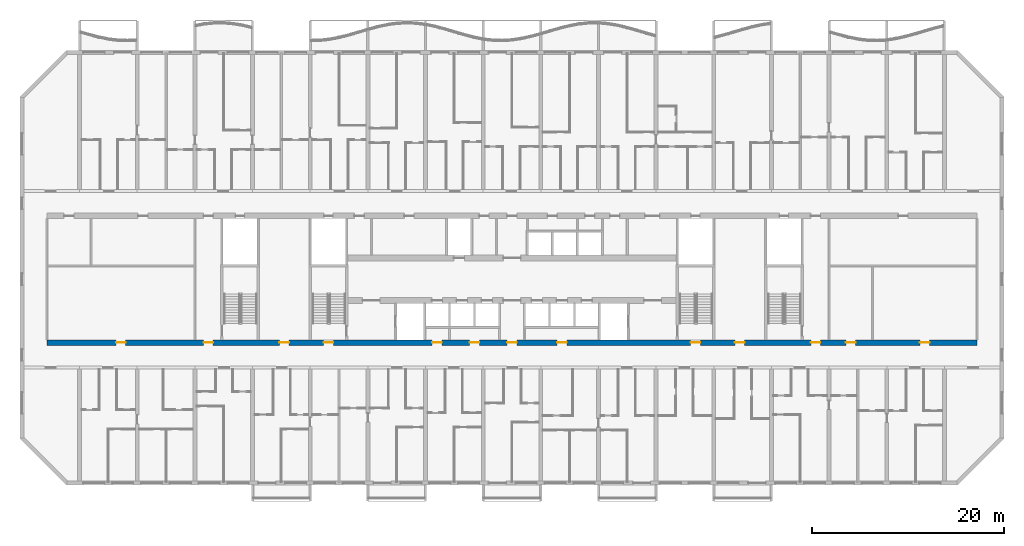
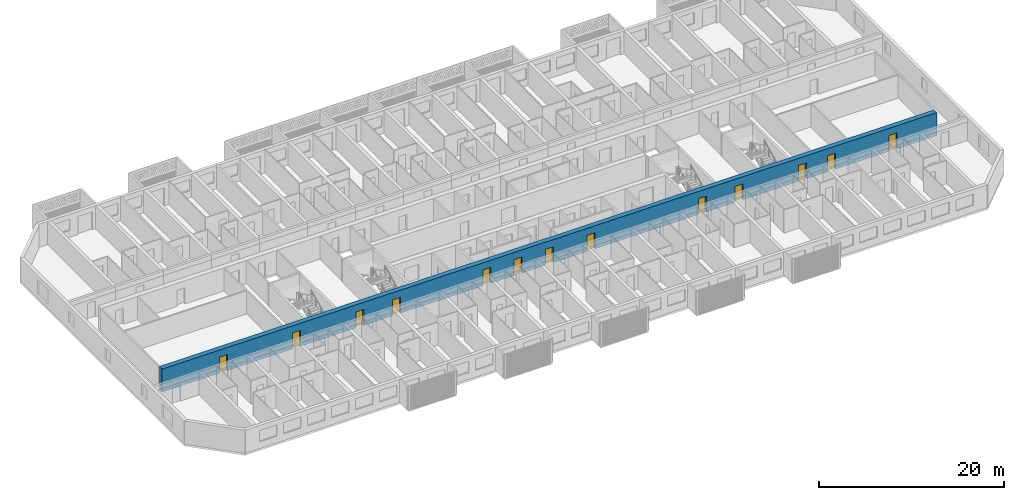
# One storey, part 9 of 44: 13 doors, 1 wall, 13 openings.
"""IFC4 building model written with IfcOpenShell, lengths in metres."""

from ifc_helpers import new_model, si_unit, direction, frame, frame_2d, origin, place, context, subcontext, project, spatial, rectangle, extrude, material, layer, layer_set, type_object, element, fill, save


model = new_model("IFC4")

# Units and contexts
model_context = context("Model", 3, precision=1e-05, world=origin(), true_north=direction((0.0, 1.0)))
body_context = subcontext(model_context, "Body", "Model", "MODEL_VIEW")
ifc_project = project(units=[si_unit("LENGTHUNIT", "METRE"), si_unit("AREAUNIT", "SQUARE_METRE"), si_unit("VOLUMEUNIT", "CUBIC_METRE"), si_unit("PLANEANGLEUNIT", "RADIAN"), si_unit("MASSUNIT", "GRAM", prefix="KILO")], contexts=[model_context])

# Site, building, storey
site_placement = place(None, origin())
site = spatial("IfcSite", under=ifc_project, at=site_placement, CompositionType="ELEMENT")
building_placement = place(site_placement, origin())
building = spatial("IfcBuilding", under=site, at=building_placement, Name="Poui Terraces", CompositionType="ELEMENT")
storey_placement = place(building_placement, frame((0.0, 0.0, 26.699951171875)))
storey = spatial("IfcBuildingStorey", under=building, at=storey_placement, Name="L06", CompositionType="ELEMENT", Elevation=26.699951171875)

# Wall, openings, doors
ifc_material_1 = material(Name="Concrete 80 MPa", Category="concrete")
ifc_layer = layer(ifc_material_1, 0.60009765625)
ifc_layer_set = layer_set([ifc_layer], Name="Concrete 80 MPa")
wall_type = type_object("IfcWallType", Name="SPINE WALL 600 80 MPA", PredefinedType="SOLIDWALL", material=ifc_layer_set)
wall_placement = place(storey_placement, frame((2.60009765625, 14.60009765625, 0.0), z_axis=(0.0, 0.0, 1.0), x_axis=(1.0, 0.0, 0.0)))
wall = element("IfcWall", 1, at=wall_placement, inside=storey, type_object=wall_type, Name="SPINE WALL", PredefinedType="SOLIDWALL", context=body_context, shape_type="SweptSolid", body=[
    extrude(rectangle(XDim=96.7998046875, YDim=0.60009765625, at=frame_2d((48.39990234375, 0.0))), origin(), (0.0, 0.0, 1.0), 3.050048828125),
])
opening_1_placement = place(wall_placement, frame((7.199951171875, 0.0, 0.0)))
opening_1 = element("IfcOpeningElement", 2, at=opening_1_placement, cuts=wall, Name="Opening FD60", PredefinedType="OPENING", context=body_context, shape_type="SweptSolid", body=[
    extrude(rectangle(XDim=1.0, YDim=2.10009765625, at=frame_2d((0.5, 1.050048828125))), frame((0.0, 0.31005859375, 0.0), z_axis=(0.0, -1.0, 0.0), x_axis=(1.0, 0.0, 0.0)), (0.0, 0.0, 1.0), 0.6201171875),
])
opening_2_placement = place(wall_placement, frame((16.300048828125, 0.0, 0.0)))
opening_2 = element("IfcOpeningElement", 3, at=opening_2_placement, cuts=wall, Name="Opening FDL", PredefinedType="OPENING", context=body_context, shape_type="SweptSolid", body=[
    extrude(rectangle(XDim=1.0, YDim=2.10009765625, at=frame_2d((0.5, 1.050048828125))), frame((0.0, 0.31005859375, 0.0), z_axis=(0.0, -1.0, 0.0), x_axis=(1.0, 0.0, 0.0)), (0.0, 0.0, 1.0), 0.6201171875),
])
opening_3_placement = place(wall_placement, frame((24.199951171875, 0.0, 0.0)))
opening_3 = element("IfcOpeningElement", 4, at=opening_3_placement, cuts=wall, Name="Opening D100", PredefinedType="OPENING", context=body_context, shape_type="SweptSolid", body=[
    extrude(rectangle(XDim=1.0, YDim=2.10009765625, at=frame_2d((0.5, 1.050048828125))), frame((0.0, 0.31005859375, 0.0), z_axis=(0.0, -1.0, 0.0), x_axis=(1.0, 0.0, 0.0)), (0.0, 0.0, 1.0), 0.6201171875),
])
opening_4_placement = place(wall_placement, frame((28.800048828125, 0.0, 0.0)))
opening_4 = element("IfcOpeningElement", 5, at=opening_4_placement, cuts=wall, Name="Opening FD60S", PredefinedType="OPENING", context=body_context, shape_type="SweptSolid", body=[
    extrude(rectangle(XDim=1.0, YDim=2.10009765625, at=frame_2d((0.5, 1.050048828125))), frame((0.0, 0.31005859375, 0.0), z_axis=(0.0, -1.0, 0.0), x_axis=(1.0, 0.0, 0.0)), (0.0, 0.0, 1.0), 0.6201171875),
])
opening_5_placement = place(wall_placement, frame((40.10009765625, 0.0, 0.0)))
opening_5 = element("IfcOpeningElement", 6, at=opening_5_placement, cuts=wall, Name="Opening FD60", PredefinedType="OPENING", context=body_context, shape_type="SweptSolid", body=[
    extrude(rectangle(XDim=1.0, YDim=2.10009765625, at=frame_2d((0.5, 1.050048828125))), frame((0.0, 0.31005859375, 0.0), z_axis=(0.0, -1.0, 0.0), x_axis=(1.0, 0.0, 0.0)), (0.0, 0.0, 1.0), 0.6201171875),
])
opening_6_placement = place(wall_placement, frame((44.0, 0.0, 0.0)))
opening_6 = element("IfcOpeningElement", 7, at=opening_6_placement, cuts=wall, Name="Opening FD60", PredefinedType="OPENING", context=body_context, shape_type="SweptSolid", body=[
    extrude(rectangle(XDim=1.0, YDim=2.10009765625, at=frame_2d((0.5, 1.050048828125))), frame((0.0, 0.31005859375, 0.0), z_axis=(0.0, -1.0, 0.0), x_axis=(1.0, 0.0, 0.0)), (0.0, 0.0, 1.0), 0.6201171875),
])
opening_7_placement = place(wall_placement, frame((47.89990234375, 0.0, 0.0)))
opening_7 = element("IfcOpeningElement", 8, at=opening_7_placement, cuts=wall, Name="Opening FDL", PredefinedType="OPENING", context=body_context, shape_type="SweptSolid", body=[
    extrude(rectangle(XDim=1.0, YDim=2.10009765625, at=frame_2d((0.5, 1.050048828125))), frame((0.0, 0.31005859375, 0.0), z_axis=(0.0, -1.0, 0.0), x_axis=(1.0, 0.0, 0.0)), (0.0, 0.0, 1.0), 0.6201171875),
])
opening_8_placement = place(wall_placement, frame((53.10009765625, 0.0, 0.0)))
opening_8 = element("IfcOpeningElement", 9, at=opening_8_placement, cuts=wall, Name="Opening FD60", PredefinedType="OPENING", context=body_context, shape_type="SweptSolid", body=[
    extrude(rectangle(XDim=1.0, YDim=2.10009765625, at=frame_2d((0.5, 1.050048828125))), frame((0.0, 0.31005859375, 0.0), z_axis=(0.0, -1.0, 0.0), x_axis=(1.0, 0.0, 0.0)), (0.0, 0.0, 1.0), 0.6201171875),
])
opening_9_placement = place(wall_placement, frame((67.0, 0.0, 0.0)))
opening_9 = element("IfcOpeningElement", 10, at=opening_9_placement, cuts=wall, Name="Opening FD60S", PredefinedType="OPENING", context=body_context, shape_type="SweptSolid", body=[
    extrude(rectangle(XDim=1.0, YDim=2.10009765625, at=frame_2d((0.5, 1.050048828125))), frame((0.0, 0.31005859375, 0.0), z_axis=(0.0, -1.0, 0.0), x_axis=(1.0, 0.0, 0.0)), (0.0, 0.0, 1.0), 0.6201171875),
])
opening_10_placement = place(wall_placement, frame((71.60009765625, 0.0, 0.0)))
opening_10 = element("IfcOpeningElement", 11, at=opening_10_placement, cuts=wall, Name="Opening D100", PredefinedType="OPENING", context=body_context, shape_type="SweptSolid", body=[
    extrude(rectangle(XDim=1.0, YDim=2.10009765625, at=frame_2d((0.5, 1.050048828125))), frame((0.0, 0.31005859375, 0.0), z_axis=(0.0, -1.0, 0.0), x_axis=(1.0, 0.0, 0.0)), (0.0, 0.0, 1.0), 0.6201171875),
])
opening_11_placement = place(wall_placement, frame((79.5, 0.0, 0.0)))
opening_11 = element("IfcOpeningElement", 12, at=opening_11_placement, cuts=wall, Name="Opening FDL", PredefinedType="OPENING", context=body_context, shape_type="SweptSolid", body=[
    extrude(rectangle(XDim=1.0, YDim=2.10009765625, at=frame_2d((0.5, 1.050048828125))), frame((0.0, 0.31005859375, 0.0), z_axis=(0.0, -1.0, 0.0), x_axis=(1.0, 0.0, 0.0)), (0.0, 0.0, 1.0), 0.6201171875),
])
opening_12_placement = place(wall_placement, frame((83.14990234375, 0.0, 0.0)))
opening_12 = element("IfcOpeningElement", 13, at=opening_12_placement, cuts=wall, Name="Opening FD60", PredefinedType="OPENING", context=body_context, shape_type="SweptSolid", body=[
    extrude(rectangle(XDim=1.0, YDim=2.10009765625, at=frame_2d((0.5, 1.050048828125))), frame((0.0, 0.31005859375, 0.0), z_axis=(0.0, -1.0, 0.0), x_axis=(1.0, 0.0, 0.0)), (0.0, 0.0, 1.0), 0.6201171875),
])
opening_13_placement = place(wall_placement, frame((90.85009765625, 0.0, 0.0)))
opening_13 = element("IfcOpeningElement", 14, at=opening_13_placement, cuts=wall, Name="Opening FD60", PredefinedType="OPENING", context=body_context, shape_type="SweptSolid", body=[
    extrude(rectangle(XDim=1.0, YDim=2.10009765625, at=frame_2d((0.5, 1.050048828125))), frame((0.0, 0.31005859375, 0.0), z_axis=(0.0, -1.0, 0.0), x_axis=(1.0, 0.0, 0.0)), (0.0, 0.0, 1.0), 0.6201171875),
])
ifc_material_2 = material(Name="Solid core timber door", Category="wood")
door_type_1 = type_object("IfcDoorType", Name="ACCESSIBLE INTERNAL DOOR 1000 X 2100", OperationType="NOTDEFINED", PredefinedType="DOOR", material=ifc_material_2)
door_1_placement = place(opening_3_placement, frame((1.0, 0.0, 0.0), z_axis=(0.0, 0.0, 1.0), x_axis=(-1.0, 0.0, 0.0)))
door_1 = element("IfcDoor", 15, at=door_1_placement, inside=storey, type_object=door_type_1, Name="ACCESSIBLE INTERNAL DOOR 020", OperationType="SINGLE_SWING_LEFT", OverallHeight=2.10009765625, OverallWidth=1.0, PredefinedType="DOOR", context=body_context, shape_type="SweptSolid", body=[
    extrude(rectangle(XDim=1.0, YDim=2.10009765625, at=frame_2d((0.5, 1.050048828125))), frame((0.0, 0.02490234375, 0.0), z_axis=(0.0, -1.0, 0.0), x_axis=(1.0, 0.0, 0.0)), (0.0, 0.0, 1.0), 0.050048828125),
])
fill(opening_3, door_1)
door_2_placement = place(opening_10_placement, frame((1.0, 0.0, 0.0), z_axis=(0.0, 0.0, 1.0), x_axis=(-1.0, 0.0, 0.0)))
door_2 = element("IfcDoor", 16, at=door_2_placement, inside=storey, type_object=door_type_1, Name="ACCESSIBLE INTERNAL DOOR 027", OperationType="SINGLE_SWING_RIGHT", OverallHeight=2.10009765625, OverallWidth=1.0, PredefinedType="DOOR", context=body_context, shape_type="SweptSolid", body=[
    extrude(rectangle(XDim=1.0, YDim=2.10009765625, at=frame_2d((0.5, 1.050048828125))), frame((0.0, 0.02490234375, 0.0), z_axis=(0.0, -1.0, 0.0), x_axis=(1.0, 0.0, 0.0)), (0.0, 0.0, 1.0), 0.050048828125),
])
fill(opening_10, door_2)
ifc_material_3 = material(Name="Steel fire door", Category="steel")
door_type_2 = type_object("IfcDoorType", Name="LOBBY FIRE DOOR 1000 X 2100", OperationType="NOTDEFINED", PredefinedType="DOOR", material=ifc_material_3)
door_3_placement = place(opening_2_placement, frame((1.0, 0.0, 0.0), z_axis=(0.0, 0.0, 1.0), x_axis=(-1.0, 0.0, 0.0)))
door_3 = element("IfcDoor", 17, at=door_3_placement, inside=storey, type_object=door_type_2, Name="LOBBY FIRE DOOR 019", OperationType="SINGLE_SWING_RIGHT", OverallHeight=2.10009765625, OverallWidth=1.0, PredefinedType="DOOR", context=body_context, shape_type="SweptSolid", body=[
    extrude(rectangle(XDim=1.0, YDim=2.10009765625, at=frame_2d((0.5, 1.050048828125))), frame((0.0, 0.02490234375, 0.0), z_axis=(0.0, -1.0, 0.0), x_axis=(1.0, 0.0, 0.0)), (0.0, 0.0, 1.0), 0.050048828125),
])
fill(opening_2, door_3)
door_4_placement = place(opening_7_placement, frame((1.0, 0.0, 0.0), z_axis=(0.0, 0.0, 1.0), x_axis=(-1.0, 0.0, 0.0)))
door_4 = element("IfcDoor", 18, at=door_4_placement, inside=storey, type_object=door_type_2, Name="LOBBY FIRE DOOR 024", OperationType="SINGLE_SWING_LEFT", OverallHeight=2.10009765625, OverallWidth=1.0, PredefinedType="DOOR", context=body_context, shape_type="SweptSolid", body=[
    extrude(rectangle(XDim=1.0, YDim=2.10009765625, at=frame_2d((0.5, 1.050048828125))), frame((0.0, 0.02490234375, 0.0), z_axis=(0.0, -1.0, 0.0), x_axis=(1.0, 0.0, 0.0)), (0.0, 0.0, 1.0), 0.050048828125),
])
fill(opening_7, door_4)
door_5_placement = place(opening_11_placement, frame((1.0, 0.0, 0.0), z_axis=(0.0, 0.0, 1.0), x_axis=(-1.0, 0.0, 0.0)))
door_5 = element("IfcDoor", 19, at=door_5_placement, inside=storey, type_object=door_type_2, Name="LOBBY FIRE DOOR 028", OperationType="SINGLE_SWING_LEFT", OverallHeight=2.10009765625, OverallWidth=1.0, PredefinedType="DOOR", context=body_context, shape_type="SweptSolid", body=[
    extrude(rectangle(XDim=1.0, YDim=2.10009765625, at=frame_2d((0.5, 1.050048828125))), frame((0.0, 0.02490234375, 0.0), z_axis=(0.0, -1.0, 0.0), x_axis=(1.0, 0.0, 0.0)), (0.0, 0.0, 1.0), 0.050048828125),
])
fill(opening_11, door_5)
door_type_3 = type_object("IfcDoorType", Name="SERVICE ROOM FIRE DOOR 1000 X 2100", OperationType="NOTDEFINED", PredefinedType="DOOR", material=ifc_material_3)
door_6_placement = place(opening_1_placement, frame((1.0, 0.0, 0.0), z_axis=(0.0, 0.0, 1.0), x_axis=(-1.0, 0.0, 0.0)))
door_6 = element("IfcDoor", 20, at=door_6_placement, inside=storey, type_object=door_type_3, Name="SERVICE ROOM FIRE DOOR 018", OperationType="SINGLE_SWING_LEFT", OverallHeight=2.10009765625, OverallWidth=1.0, PredefinedType="DOOR", context=body_context, shape_type="SweptSolid", body=[
    extrude(rectangle(XDim=1.0, YDim=2.10009765625, at=frame_2d((0.5, 1.050048828125))), frame((0.0, 0.02490234375, 0.0), z_axis=(0.0, -1.0, 0.0), x_axis=(1.0, 0.0, 0.0)), (0.0, 0.0, 1.0), 0.050048828125),
])
fill(opening_1, door_6)
door_7_placement = place(opening_5_placement, frame((1.0, 0.0, 0.0), z_axis=(0.0, 0.0, 1.0), x_axis=(-1.0, 0.0, 0.0)))
door_7 = element("IfcDoor", 21, at=door_7_placement, inside=storey, type_object=door_type_3, Name="SERVICE ROOM FIRE DOOR 022", OperationType="SINGLE_SWING_LEFT", OverallHeight=2.10009765625, OverallWidth=1.0, PredefinedType="DOOR", context=body_context, shape_type="SweptSolid", body=[
    extrude(rectangle(XDim=1.0, YDim=2.10009765625, at=frame_2d((0.5, 1.050048828125))), frame((0.0, 0.02490234375, 0.0), z_axis=(0.0, -1.0, 0.0), x_axis=(1.0, 0.0, 0.0)), (0.0, 0.0, 1.0), 0.050048828125),
])
fill(opening_5, door_7)
door_8_placement = place(opening_6_placement, frame((1.0, 0.0, 0.0), z_axis=(0.0, 0.0, 1.0), x_axis=(-1.0, 0.0, 0.0)))
door_8 = element("IfcDoor", 22, at=door_8_placement, inside=storey, type_object=door_type_3, Name="SERVICE ROOM FIRE DOOR 023", OperationType="SINGLE_SWING_RIGHT", OverallHeight=2.10009765625, OverallWidth=1.0, PredefinedType="DOOR", context=body_context, shape_type="SweptSolid", body=[
    extrude(rectangle(XDim=1.0, YDim=2.10009765625, at=frame_2d((0.5, 1.050048828125))), frame((0.0, 0.02490234375, 0.0), z_axis=(0.0, -1.0, 0.0), x_axis=(1.0, 0.0, 0.0)), (0.0, 0.0, 1.0), 0.050048828125),
])
fill(opening_6, door_8)
door_9_placement = place(opening_8_placement, frame((1.0, 0.0, 0.0), z_axis=(0.0, 0.0, 1.0), x_axis=(-1.0, 0.0, 0.0)))
door_9 = element("IfcDoor", 23, at=door_9_placement, inside=storey, type_object=door_type_3, Name="SERVICE ROOM FIRE DOOR 025", OperationType="SINGLE_SWING_LEFT", OverallHeight=2.10009765625, OverallWidth=1.0, PredefinedType="DOOR", context=body_context, shape_type="SweptSolid", body=[
    extrude(rectangle(XDim=1.0, YDim=2.10009765625, at=frame_2d((0.5, 1.050048828125))), frame((0.0, 0.02490234375, 0.0), z_axis=(0.0, -1.0, 0.0), x_axis=(1.0, 0.0, 0.0)), (0.0, 0.0, 1.0), 0.050048828125),
])
fill(opening_8, door_9)
door_10_placement = place(opening_12_placement, frame((1.0, 0.0, 0.0), z_axis=(0.0, 0.0, 1.0), x_axis=(-1.0, 0.0, 0.0)))
door_10 = element("IfcDoor", 24, at=door_10_placement, inside=storey, type_object=door_type_3, Name="SERVICE ROOM FIRE DOOR 029", OperationType="SINGLE_SWING_RIGHT", OverallHeight=2.10009765625, OverallWidth=1.0, PredefinedType="DOOR", context=body_context, shape_type="SweptSolid", body=[
    extrude(rectangle(XDim=1.0, YDim=2.10009765625, at=frame_2d((0.5, 1.050048828125))), frame((0.0, 0.02490234375, 0.0), z_axis=(0.0, -1.0, 0.0), x_axis=(1.0, 0.0, 0.0)), (0.0, 0.0, 1.0), 0.050048828125),
])
fill(opening_12, door_10)
door_11_placement = place(opening_13_placement, frame((1.0, 0.0, 0.0), z_axis=(0.0, 0.0, 1.0), x_axis=(-1.0, 0.0, 0.0)))
door_11 = element("IfcDoor", 25, at=door_11_placement, inside=storey, type_object=door_type_3, Name="SERVICE ROOM FIRE DOOR 030", OperationType="SINGLE_SWING_LEFT", OverallHeight=2.10009765625, OverallWidth=1.0, PredefinedType="DOOR", context=body_context, shape_type="SweptSolid", body=[
    extrude(rectangle(XDim=1.0, YDim=2.10009765625, at=frame_2d((0.5, 1.050048828125))), frame((0.0, 0.02490234375, 0.0), z_axis=(0.0, -1.0, 0.0), x_axis=(1.0, 0.0, 0.0)), (0.0, 0.0, 1.0), 0.050048828125),
])
fill(opening_13, door_11)
door_type_4 = type_object("IfcDoorType", Name="STAIR DOOR 1000 X 2100", OperationType="NOTDEFINED", PredefinedType="DOOR", material=ifc_material_3)
door_12_placement = place(opening_4_placement, origin())
door_12 = element("IfcDoor", 26, at=door_12_placement, inside=storey, type_object=door_type_4, Name="STAIR DOOR 021", OperationType="SINGLE_SWING_RIGHT", OverallHeight=2.10009765625, OverallWidth=1.0, PredefinedType="DOOR", context=body_context, shape_type="SweptSolid", body=[
    extrude(rectangle(XDim=1.0, YDim=2.10009765625, at=frame_2d((0.5, 1.050048828125))), frame((0.0, 0.02490234375, 0.0), z_axis=(0.0, -1.0, 0.0), x_axis=(1.0, 0.0, 0.0)), (0.0, 0.0, 1.0), 0.050048828125),
])
fill(opening_4, door_12)
door_13_placement = place(opening_9_placement, origin())
door_13 = element("IfcDoor", 27, at=door_13_placement, inside=storey, type_object=door_type_4, Name="STAIR DOOR 026", OperationType="SINGLE_SWING_RIGHT", OverallHeight=2.10009765625, OverallWidth=1.0, PredefinedType="DOOR", context=body_context, shape_type="SweptSolid", body=[
    extrude(rectangle(XDim=1.0, YDim=2.10009765625, at=frame_2d((0.5, 1.050048828125))), frame((0.0, 0.02490234375, 0.0), z_axis=(0.0, -1.0, 0.0), x_axis=(1.0, 0.0, 0.0)), (0.0, 0.0, 1.0), 0.050048828125),
])
fill(opening_9, door_13)

save(model, "model.ifc")
